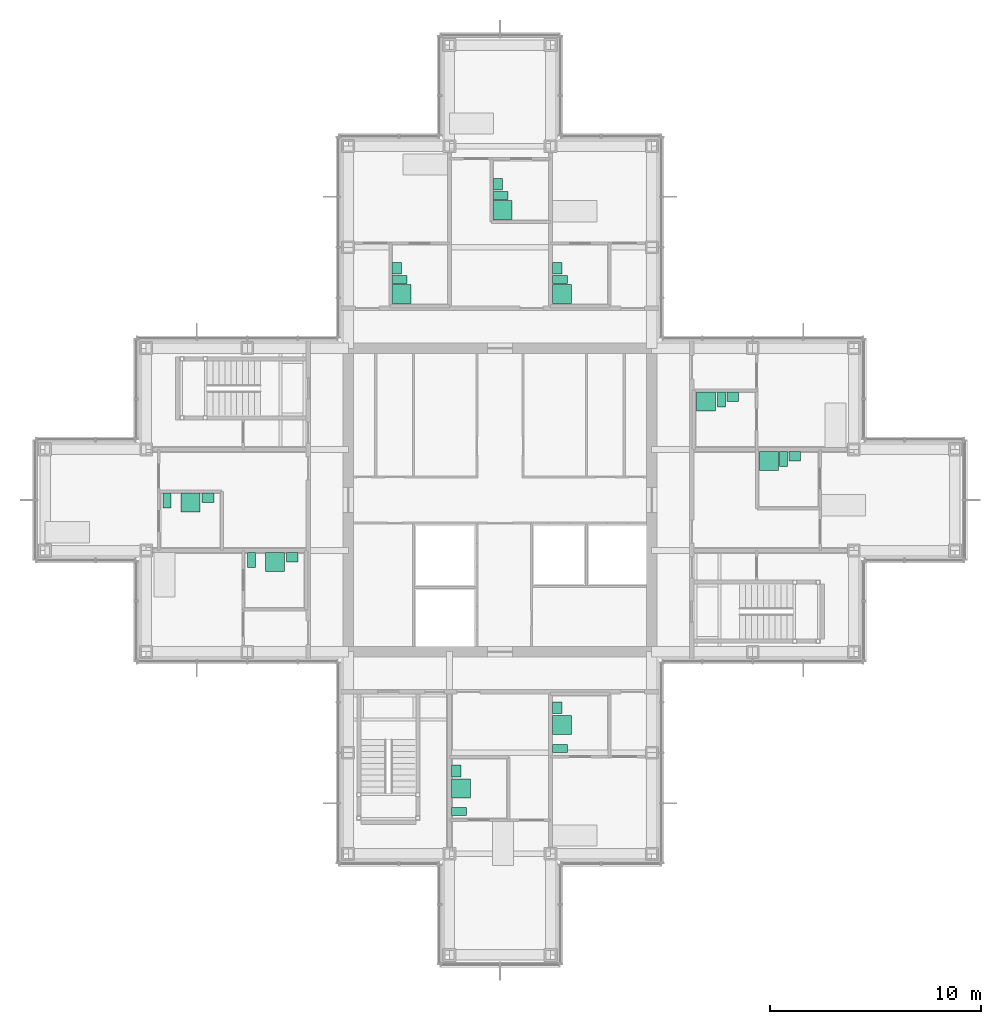
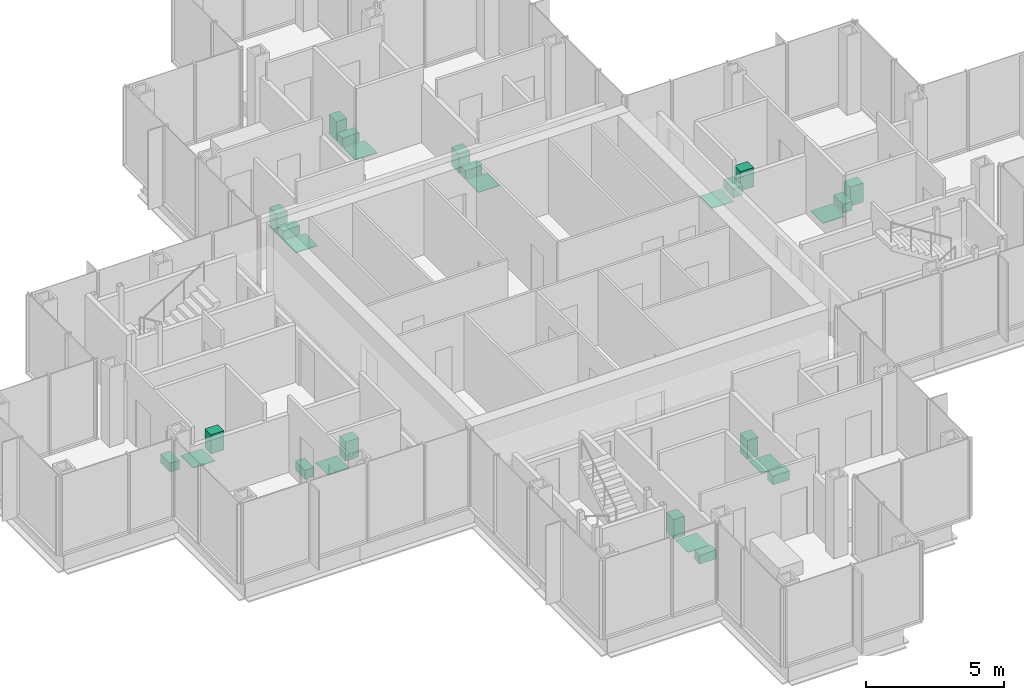
# One storey, part 16 of 17: 27 sanitary terminals.
"""IFC4 building model written with IfcOpenShell, lengths in metres."""

from ifc_helpers import new_model, si_unit, direction, frame, origin, origin_2d, place, context, subcontext, project, spatial, rectangle, extrude, material, type_object, element, save


model = new_model("IFC4")

# Units and contexts
model_context = context("Model", 3, precision=1e-05, world=origin(), true_north=direction((0.0, 1.0)))
body_context = subcontext(model_context, "Body", "Model", "MODEL_VIEW")
ifc_project = project(units=[si_unit("LENGTHUNIT", "METRE"), si_unit("AREAUNIT", "SQUARE_METRE"), si_unit("VOLUMEUNIT", "CUBIC_METRE"), si_unit("PLANEANGLEUNIT", "RADIAN"), si_unit("MASSUNIT", "GRAM", prefix="KILO")], contexts=[model_context])

# Site, building, storey
site_placement = place(None, origin())
site = spatial("IfcSite", under=ifc_project, at=site_placement, CompositionType="ELEMENT")
building_placement = place(site_placement, origin())
building = spatial("IfcBuilding", under=site, at=building_placement, Name="Kvirike Care Tower", CompositionType="ELEMENT")
storey_placement = place(building_placement, frame((0.0, 0.0, 176.0)))
storey = spatial("IfcBuildingStorey", under=building, at=storey_placement, Name="L48", CompositionType="ELEMENT", Elevation=176.0)

# Sanitary terminals
ifc_material_1 = material(Name="Stainless steel", Category="steel")
sanitary_terminal_type_1 = type_object("IfcSanitaryTerminalType", Name="LEVEL-ACCESS SHOWER 900 x 900", PredefinedType="SHOWER", material=ifc_material_1)
for number, where, z_axis, x_axis, name in (
    (1, (6.909912109375, 35.873046875, 0.02001953125), (0.0, 0.0, 1.0), (1.0, 0.0, 0.0), "Level-access shower L48-006"),
    (2, (10.909912109375, 33.048095703125, 0.02001953125), (0.0, 0.0, 1.0), (1.0, 0.0, 0.0), "Level-access shower L48-009"),
    (3, (19.751953125, 22.31005859375, 0.02001953125), (0.0, 0.0, 1.0), (0.0, 1.0, 0.0), "Level-access shower L48-015"),
    (4, (24.552001953125, 25.31005859375, 0.02001953125), (0.0, 0.0, 1.0), (0.0, 1.0, 0.0), "Level-access shower L48-018"),
    (5, (24.552001953125, 45.77490234375, 0.02001953125), (0.0, 0.0, 1.0), (0.0, 1.0, 0.0), "Level-access shower L48-022"),
    (6, (21.72705078125, 49.77490234375, 0.02001953125), (0.0, 0.0, 1.0), (0.0, 1.0, 0.0), "Level-access shower L48-025"),
    (7, (16.927001953125, 45.77490234375, 0.02001953125), (0.0, 0.0, 1.0), (0.0, 1.0, 0.0), "Level-access shower L48-028"),
    (8, (34.375, 37.847900390625, 0.02001953125), (0.0, 0.0, 1.0), (1.0, 0.0, 0.0), "Level-access shower L48-035"),
    (9, (31.375, 40.673095703125, 0.02001953125), (0.0, 0.0, 1.0), (1.0, 0.0, 0.0), "Level-access shower L48-038"),
):
    element("IfcSanitaryTerminal", number, at=place(storey_placement, frame(where, z_axis=z_axis, x_axis=x_axis)), inside=storey, type_object=sanitary_terminal_type_1, Name=name, PredefinedType="SHOWER", context=body_context, shape_type="SweptSolid", body=[
        extrude(rectangle(XDim=0.89990234375, YDim=0.89990234375, at=origin_2d()), origin(), (0.0, 0.0, 1.0), 0.02001953125),
    ])
ifc_material_2 = material(Name="Vitreous china", Category="ceramic")
sanitary_terminal_type_2 = type_object("IfcSanitaryTerminalType", Name="WASH BASIN 550 x 450", PredefinedType="WASHHANDBASIN", material=ifc_material_2)
for number, where, z_axis, x_axis, name in (
    (10, (7.735107421875, 36.097900390625, 0.02001953125), (0.0, 0.0, 1.0), (1.0, 0.0, 0.0), "Wash basin L48-006"),
    (11, (11.735107421875, 33.27294921875, 0.02001953125), (0.0, 0.0, 1.0), (1.0, 0.0, 0.0), "Wash basin L48-009"),
    (12, (19.527099609375, 23.135009765625, 0.02001953125), (0.0, 0.0, 1.0), (0.0, 1.0, 0.0), "Wash basin L48-015"),
    (13, (24.326904296875, 26.135009765625, 0.02001953125), (0.0, 0.0, 1.0), (0.0, 1.0, 0.0), "Wash basin L48-018"),
    (14, (24.326904296875, 47.0, 0.02001953125), (0.0, 0.0, 1.0), (0.0, 1.0, 0.0), "Wash basin L48-022"),
    (15, (21.501953125, 51.0, 0.02001953125), (0.0, 0.0, 1.0), (0.0, 1.0, 0.0), "Wash basin L48-025"),
    (16, (16.701904296875, 47.0, 0.02001953125), (0.0, 0.0, 1.0), (0.0, 1.0, 0.0), "Wash basin L48-028"),
    (17, (35.60009765625, 38.072998046875, 0.02001953125), (0.0, 0.0, 1.0), (1.0, 0.0, 0.0), "Wash basin L48-035"),
    (18, (32.64990234375, 40.89794921875, 0.02001953125), (0.0, 0.0, 1.0), (1.0, 0.0, 0.0), "Wash basin L48-038"),
):
    element("IfcSanitaryTerminal", number, at=place(storey_placement, frame(where, z_axis=z_axis, x_axis=x_axis)), inside=storey, type_object=sanitary_terminal_type_2, Name=name, PredefinedType="WASHHANDBASIN", context=body_context, shape_type="SweptSolid", body=[
        extrude(rectangle(XDim=0.550048828125, YDim=0.449951171875, at=origin_2d()), origin(), (0.0, 0.0, 1.0), 0.85009765625),
    ])
ifc_material_3 = material(Name="Vitreous china", Category="ceramic")
sanitary_terminal_type_3 = type_object("IfcSanitaryTerminalType", Name="WC PAN 380 x 700", PredefinedType="TOILETPAN", material=ifc_material_3)
for number, where, z_axis, x_axis, name in (
    (19, (5.800048828125, 35.972900390625, 0.02001953125), (0.0, 0.0, 1.0), (1.0, 0.0, 0.0), "WC pan L48-006"),
    (20, (9.800048828125, 33.14794921875, 0.02001953125), (0.0, 0.0, 1.0), (1.0, 0.0, 0.0), "WC pan L48-009"),
    (21, (19.652099609375, 21.199951171875, 0.02001953125), (0.0, 0.0, 1.0), (0.0, 1.0, 0.0), "WC pan L48-015"),
    (22, (24.451904296875, 24.199951171875, 0.02001953125), (0.0, 0.0, 1.0), (0.0, 1.0, 0.0), "WC pan L48-018"),
    (23, (24.451904296875, 46.465087890625, 0.02001953125), (0.0, 0.0, 1.0), (0.0, 1.0, 0.0), "WC pan L48-022"),
    (24, (21.626953125, 50.465087890625, 0.02001953125), (0.0, 0.0, 1.0), (0.0, 1.0, 0.0), "WC pan L48-025"),
    (25, (16.826904296875, 46.465087890625, 0.02001953125), (0.0, 0.0, 1.0), (0.0, 1.0, 0.0), "WC pan L48-028"),
    (26, (35.06494140625, 37.947998046875, 0.02001953125), (0.0, 0.0, 1.0), (1.0, 0.0, 0.0), "WC pan L48-035"),
    (27, (32.114990234375, 40.77294921875, 0.02001953125), (0.0, 0.0, 1.0), (1.0, 0.0, 0.0), "WC pan L48-038"),
):
    element("IfcSanitaryTerminal", number, at=place(storey_placement, frame(where, z_axis=z_axis, x_axis=x_axis)), inside=storey, type_object=sanitary_terminal_type_3, Name=name, PredefinedType="TOILETPAN", context=body_context, shape_type="SweptSolid", body=[
        extrude(rectangle(XDim=0.3798828125, YDim=0.699951171875, at=origin_2d()), origin(), (0.0, 0.0, 1.0), 0.39990234375),
    ])

save(model, "model.ifc")
